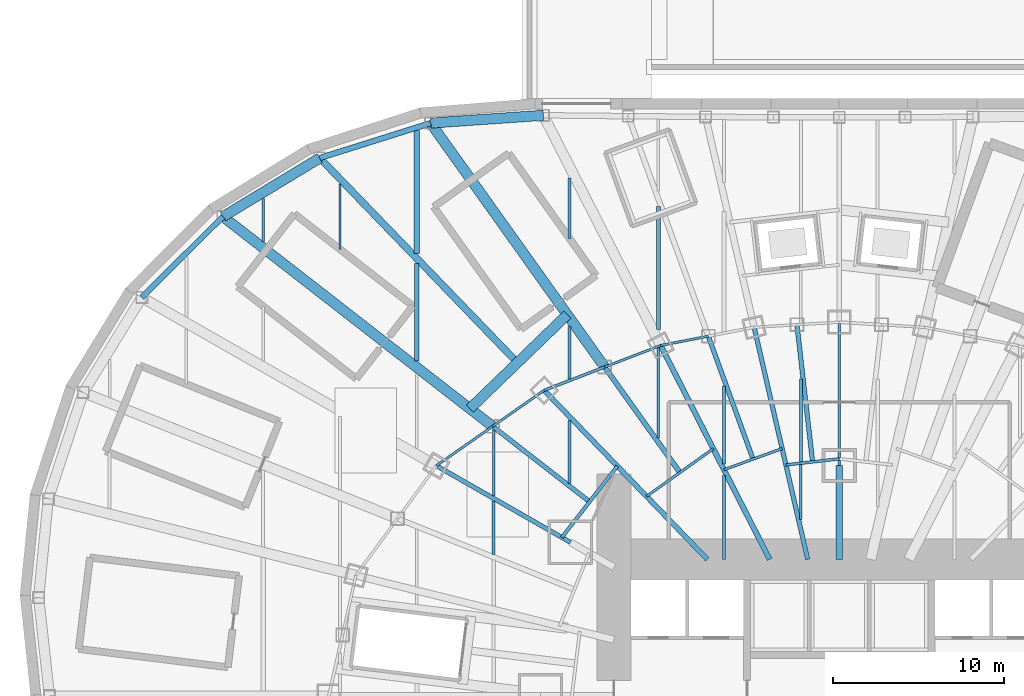
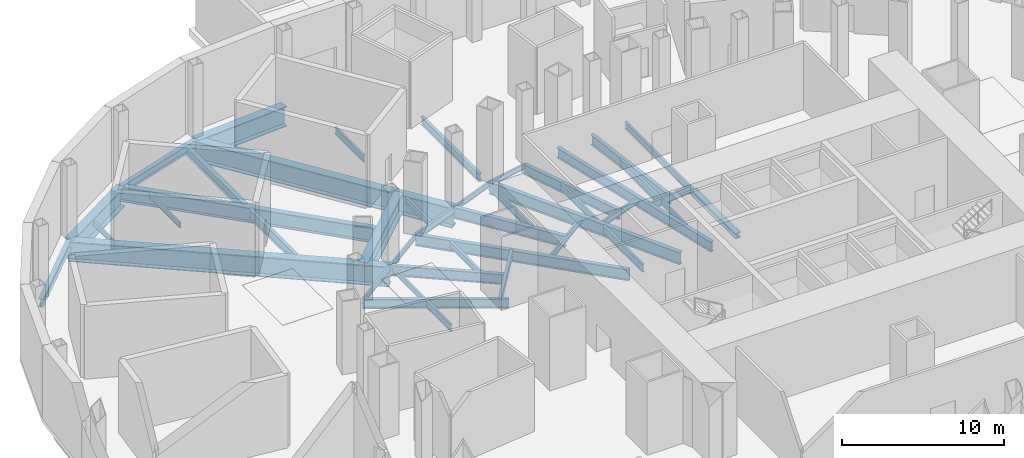
# One storey, part 5 of 19: 42 beams.
"""IFC4 building model written with IfcOpenShell, lengths in metres."""

from ifc_helpers import new_model, si_unit, direction, frame, origin, origin_2d, place, context, subcontext, project, spatial, i_section, extrude, material, material_profile, profile_set, type_object, element, save


model = new_model("IFC4")

# Units and contexts
model_context = context("Model", 3, precision=1e-05, world=origin(), true_north=direction((0.0, 1.0)))
body_context = subcontext(model_context, "Body", "Model", "MODEL_VIEW")
ifc_project = project(units=[si_unit("LENGTHUNIT", "METRE"), si_unit("AREAUNIT", "SQUARE_METRE"), si_unit("VOLUMEUNIT", "CUBIC_METRE"), si_unit("PLANEANGLEUNIT", "RADIAN"), si_unit("MASSUNIT", "GRAM", prefix="KILO")], contexts=[model_context])

# Site, building, storey
site_placement = place(None, origin())
site = spatial("IfcSite", under=ifc_project, at=site_placement, CompositionType="ELEMENT")
building_placement = place(site_placement, origin())
building = spatial("IfcBuilding", under=site, at=building_placement, Name="Lantaw Convention Tower", CompositionType="ELEMENT")
storey_placement = place(building_placement, frame((0.0, 0.0, -5.5)))
storey = spatial("IfcBuildingStorey", under=building, at=storey_placement, Name="B1", CompositionType="ELEMENT", Elevation=-5.5)

# Beams
ifc_material_1 = material(Name="Steel ASTM A572 Grade 50", Category="steel")
ifc_material_profile_1 = material_profile(ifc_material_1, i_section(OverallWidth=0.60009765625, OverallDepth=1.5, WebThickness=0.02490234375, FlangeThickness=0.06005859375, at=origin_2d()), Name="PG1500X600X25X60")
ifc_profile_set_1 = profile_set([ifc_material_profile_1], Name="Steel ASTM A572 Grade 50")
beam_type_1 = type_object("IfcBeamType", Name="Beam E PG1500X600X25X60", PredefinedType="SPANDREL", material=ifc_profile_set_1)
beam_1_placement = place(storey_placement, frame((-17.333984375, 34.019775390625, -1.050048828125), z_axis=(-0.997615470709, -0.069017190627, 0.0), x_axis=(0.069017190627, -0.997615470709, 0.0)))
element("IfcBeam", 1, at=beam_1_placement, inside=storey, type_object=beam_type_1, Name="Podium edge beam R08", PredefinedType="SPANDREL", context=body_context, shape_type="SweptSolid", body=[
    extrude(i_section(OverallWidth=0.60009765625, OverallDepth=1.5, WebThickness=0.02490234375, FlangeThickness=0.06005859375, at=origin_2d()), origin(), (0.0, 0.0, 1.0), 6.6220703125),
])
beam_2_placement = place(storey_placement, frame((-30.43603515625, 31.517578125, -1.050048828125), z_axis=(-0.855269526547, -0.518183400893, 0.0), x_axis=(0.518183400893, -0.855269526547, 0.0)))
element("IfcBeam", 2, at=beam_2_placement, inside=storey, type_object=beam_type_1, Name="Podium edge beam R09", PredefinedType="SPANDREL", context=body_context, shape_type="SweptSolid", body=[
    extrude(i_section(OverallWidth=0.60009765625, OverallDepth=1.5, WebThickness=0.02490234375, FlangeThickness=0.06005859375, at=origin_2d()), origin(), (0.0, 0.0, 1.0), 6.63134765625),
])
ifc_material_2 = material(Name="Steel ASTM A992", Category="steel")
ifc_material_profile_2 = material_profile(ifc_material_2, i_section(OverallWidth=0.140380859375, OverallDepth=0.40380859375, WebThickness=0.007080078125, FlangeThickness=0.01123046875, FilletRadius=0.01025390625, at=origin_2d()), Name="W16X31")
ifc_profile_set_2 = profile_set([ifc_material_profile_2], Name="Steel ASTM A992")
beam_type_2 = type_object("IfcBeamType", Name="Beam E W16X31", PredefinedType="SPANDREL", material=ifc_profile_set_2)
beam_3_placement = place(storey_placement, frame((-7.671142578125, 21.076416015625, -0.501953125), z_axis=(-0.98163593748, -0.190763954266, 0.0), x_axis=(0.190763954266, -0.98163593748, 0.0)))
element("IfcBeam", 3, at=beam_3_placement, inside=storey, type_object=beam_type_2, Name="Edge beam 8", PredefinedType="SPANDREL", context=body_context, shape_type="SweptSolid", body=[
    extrude(i_section(OverallWidth=0.140380859375, OverallDepth=0.40380859375, WebThickness=0.007080078125, FlangeThickness=0.01123046875, FilletRadius=0.01025390625, at=origin_2d()), origin(), (0.0, 0.0, 1.0), 2.84375),
])
beam_4_placement = place(storey_placement, frame((-10.462646484375, 20.533935546875, -0.501953125), z_axis=(-0.933241815012, -0.359248820058, 0.0), x_axis=(0.359248820058, -0.933241815012, 0.0)))
element("IfcBeam", 4, at=beam_4_placement, inside=storey, type_object=beam_type_2, Name="Edge beam 9", PredefinedType="SPANDREL", context=body_context, shape_type="SweptSolid", body=[
    extrude(i_section(OverallWidth=0.140380859375, OverallDepth=0.40380859375, WebThickness=0.007080078125, FlangeThickness=0.01123046875, FilletRadius=0.01025390625, at=origin_2d()), origin(), (0.0, 0.0, 1.0), 3.517578125),
])
beam_5_placement = place(storey_placement, frame((-17.290771484375, 17.9052734375, -0.501953125), z_axis=(-0.819409395821, -0.573208724672, 0.0), x_axis=(0.573208724672, -0.819409395821, 0.0)))
element("IfcBeam", 5, at=beam_5_placement, inside=storey, type_object=beam_type_2, Name="Edge beam 10", PredefinedType="SPANDREL", context=body_context, shape_type="SweptSolid", body=[
    extrude(i_section(OverallWidth=0.140380859375, OverallDepth=0.40380859375, WebThickness=0.007080078125, FlangeThickness=0.01123046875, FilletRadius=0.01025390625, at=origin_2d()), origin(), (0.0, 0.0, 1.0), 3.682861328125),
])
beam_6_placement = place(storey_placement, frame((-20.30859375, 15.794189453125, -0.501953125), z_axis=(-0.819442856133, -0.573160889744, 0.0), x_axis=(0.573160889744, -0.819442856133, 0.0)))
element("IfcBeam", 6, at=beam_6_placement, inside=storey, type_object=beam_type_2, Name="Edge beam 10", PredefinedType="SPANDREL", context=body_context, shape_type="SweptSolid", body=[
    extrude(i_section(OverallWidth=0.140380859375, OverallDepth=0.40380859375, WebThickness=0.007080078125, FlangeThickness=0.01123046875, FilletRadius=0.01025390625, at=origin_2d()), origin(), (0.0, 0.0, 1.0), 4.022705078125),
])
ifc_material_profile_3 = material_profile(ifc_material_2, i_section(OverallWidth=0.1650390625, OverallDepth=0.52587890625, WebThickness=0.0087890625, FlangeThickness=0.011474609375, FilletRadius=0.0126953125, at=origin_2d()), Name="W21X44")
ifc_profile_set_3 = profile_set([ifc_material_profile_3], Name="Steel ASTM A992")
beam_type_3 = type_object("IfcBeamType", Name="Beam E W21X44", PredefinedType="SPANDREL", material=ifc_profile_set_3)
beam_7_placement = place(storey_placement, frame((-13.745361328125, 19.270263671875, -0.56298828125), z_axis=(-0.933224646415, -0.359293416754, 0.0), x_axis=(0.359293416754, -0.933224646415, 0.0)))
element("IfcBeam", 7, at=beam_7_placement, inside=storey, type_object=beam_type_3, Name="Edge beam 9", PredefinedType="SPANDREL", context=body_context, shape_type="SweptSolid", body=[
    extrude(i_section(OverallWidth=0.1650390625, OverallDepth=0.52587890625, WebThickness=0.0087890625, FlangeThickness=0.011474609375, FilletRadius=0.0126953125, at=origin_2d()), origin(), (0.0, 0.0, 1.0), 3.799072265625),
])
ifc_material_profile_4 = material_profile(ifc_material_2, i_section(OverallWidth=0.3251953125, OverallDepth=0.612060546875, WebThickness=0.0126953125, FlangeThickness=0.01904296875, FilletRadius=0.0126953125, at=origin_2d()), Name="W24X104")
ifc_profile_set_4 = profile_set([ifc_material_profile_4], Name="Steel ASTM A992")
beam_type_4 = type_object("IfcBeamType", Name="Beam E W24X104", PredefinedType="SPANDREL", material=ifc_profile_set_4)
beam_8_placement = place(storey_placement, frame((-23.940185546875, 33.562744140625, -0.60595703125), z_axis=(-0.953841834513, -0.300309431643, 0.0), x_axis=(0.300309431643, -0.953841834513, 0.0)))
element("IfcBeam", 8, at=beam_8_placement, inside=storey, type_object=beam_type_4, Name="Podium edge beam B08", PredefinedType="SPANDREL", context=body_context, shape_type="SweptSolid", body=[
    extrude(i_section(OverallWidth=0.3251953125, OverallDepth=0.612060546875, WebThickness=0.0126953125, FlangeThickness=0.01904296875, FilletRadius=0.0126953125, at=origin_2d()), origin(), (0.0, 0.0, 1.0), 6.810302734375),
])
beam_9_placement = place(storey_placement, frame((-36.107666015625, 28.081298828125, -0.60595703125), z_axis=(-0.709033046271, -0.705175254314, 0.0), x_axis=(0.705175254314, -0.709033046271, 0.0)))
element("IfcBeam", 9, at=beam_9_placement, inside=storey, type_object=beam_type_4, Name="Podium edge beam B09", PredefinedType="SPANDREL", context=body_context, shape_type="SweptSolid", body=[
    extrude(i_section(OverallWidth=0.3251953125, OverallDepth=0.612060546875, WebThickness=0.0126953125, FlangeThickness=0.01904296875, FilletRadius=0.0126953125, at=origin_2d()), origin(), (0.0, 0.0, 1.0), 6.708251953125),
])
ifc_material_profile_5 = material_profile(ifc_material_2, i_section(OverallWidth=0.1650390625, OverallDepth=0.52587890625, WebThickness=0.0087890625, FlangeThickness=0.011474609375, FilletRadius=0.0126953125, at=origin_2d()), Name="W21X44")
ifc_profile_set_5 = profile_set([ifc_material_profile_5], Name="Steel ASTM A992")
beam_type_5 = type_object("IfcBeamType", Name="Beam G W21X44", PredefinedType="BEAM", material=ifc_profile_set_5)
beam_10_placement = place(storey_placement, frame((0.0, 13.5, -0.56298828125), z_axis=(0.0, 1.0, 0.0), x_axis=(-1.0, 0.0, 0.0)))
element("IfcBeam", 10, at=beam_10_placement, inside=storey, type_object=beam_type_5, Name="Floor girder on ray 7", PredefinedType="BEAM", context=body_context, shape_type="SweptSolid", body=[
    extrude(i_section(OverallWidth=0.1650390625, OverallDepth=0.52587890625, WebThickness=0.0087890625, FlangeThickness=0.011474609375, FilletRadius=0.0126953125, at=origin_2d()), origin(), (0.0, 0.0, 1.0), 8.39990234375),
])
ifc_material_profile_6 = material_profile(ifc_material_2, i_section(OverallWidth=0.25390625, OverallDepth=0.700927734375, WebThickness=0.015380859375, FlangeThickness=0.02783203125, FilletRadius=0.01513671875, at=origin_2d()), Name="W27X129")
ifc_profile_set_6 = profile_set([ifc_material_profile_6], Name="Steel ASTM A992")
beam_type_6 = type_object("IfcBeamType", Name="Beam G W27X129", PredefinedType="BEAM", material=ifc_profile_set_6)
beam_11_placement = place(storey_placement, frame((-15.75, 9.0, -0.650634765625), z_axis=(-0.868244802791, 0.496136032179, 0.0), x_axis=(-0.496136032179, -0.868244802791, 0.0)))
element("IfcBeam", 11, at=beam_11_placement, inside=storey, type_object=beam_type_6, Name="Floor girder on ray 11", PredefinedType="BEAM", context=body_context, shape_type="SweptSolid", body=[
    extrude(i_section(OverallWidth=0.25390625, OverallDepth=0.700927734375, WebThickness=0.015380859375, FlangeThickness=0.02783203125, FilletRadius=0.01513671875, at=origin_2d()), origin(), (0.0, 0.0, 1.0), 9.046875),
])
ifc_material_profile_7 = material_profile(ifc_material_2, i_section(OverallWidth=0.2666015625, OverallDepth=0.7568359375, WebThickness=0.013916015625, FlangeThickness=0.019287109375, FilletRadius=0.0126953125, at=origin_2d()), Name="W30X108")
ifc_profile_set_7 = profile_set([ifc_material_profile_7], Name="Steel ASTM A992")
beam_type_7 = type_object("IfcBeamType", Name="Beam G W30X108", PredefinedType="BEAM", material=ifc_profile_set_7)
beam_12_placement = place(storey_placement, frame((-1.5625, 13.713134765625, -0.678466796875), z_axis=(-0.113183957156, 0.993574049501, 0.0), x_axis=(-0.993574049501, -0.113183957156, 0.0)))
element("IfcBeam", 12, at=beam_12_placement, inside=storey, type_object=beam_type_7, Name="Floor girder on bisector 7", PredefinedType="BEAM", context=body_context, shape_type="SweptSolid", body=[
    extrude(i_section(OverallWidth=0.2666015625, OverallDepth=0.7568359375, WebThickness=0.013916015625, FlangeThickness=0.019287109375, FilletRadius=0.0126953125, at=origin_2d()), origin(), (0.0, 0.0, 1.0), 8.0888671875),
])
ifc_material_profile_8 = material_profile(ifc_material_2, i_section(OverallWidth=0.2666015625, OverallDepth=0.76953125, WebThickness=0.015625, FlangeThickness=0.025390625, FilletRadius=0.0126953125, at=origin_2d()), Name="W30X132")
ifc_profile_set_8 = profile_set([ifc_material_profile_8], Name="Steel ASTM A992")
beam_type_8 = type_object("IfcBeamType", Name="Beam G W30X132", PredefinedType="BEAM", material=ifc_profile_set_8)
beam_13_placement = place(storey_placement, frame((-1.846923828125, 8.0, -0.684814453125), z_axis=(-0.224952773175, 0.97436966796, 0.0), x_axis=(-0.97436966796, -0.224952773175, 0.0)))
element("IfcBeam", 13, at=beam_13_placement, inside=storey, type_object=beam_type_8, Name="Floor girder on ray 8", PredefinedType="BEAM", context=body_context, shape_type="SweptSolid", body=[
    extrude(i_section(OverallWidth=0.2666015625, OverallDepth=0.76953125, WebThickness=0.015625, FlangeThickness=0.025390625, FilletRadius=0.0126953125, at=origin_2d()), origin(), (0.0, 0.0, 1.0), 13.955810546875),
])
beam_14_placement = place(storey_placement, frame((-5.04931640625, 13.873046875, -0.684814453125), z_axis=(-0.342021781151, 0.939692024664, 0.0), x_axis=(-0.939692024664, -0.342021781151, 0.0)))
element("IfcBeam", 14, at=beam_14_placement, inside=storey, type_object=beam_type_8, Name="Floor girder on bisector 8", PredefinedType="BEAM", context=body_context, shape_type="SweptSolid", body=[
    extrude(i_section(OverallWidth=0.2666015625, OverallDepth=0.76953125, WebThickness=0.015625, FlangeThickness=0.025390625, FilletRadius=0.0126953125, at=origin_2d()), origin(), (0.0, 0.0, 1.0), 7.665771484375),
])
beam_15_placement = place(storey_placement, frame((-14.628173828125, 11.37646484375, -0.684814453125), z_axis=(-0.789377792374, 0.613907729961, 0.0), x_axis=(-0.613907729961, -0.789377792374, 0.0)))
element("IfcBeam", 15, at=beam_15_placement, inside=storey, type_object=beam_type_8, Name="Floor girder on bisector 10", PredefinedType="BEAM", context=body_context, shape_type="SweptSolid", body=[
    extrude(i_section(OverallWidth=0.2666015625, OverallDepth=0.76953125, WebThickness=0.015625, FlangeThickness=0.025390625, FilletRadius=0.0126953125, at=origin_2d()), origin(), (0.0, 0.0, 1.0), 7.196044921875),
])
ifc_material_profile_9 = material_profile(ifc_material_2, i_section(OverallWidth=0.2919921875, OverallDepth=0.845703125, WebThickness=0.015380859375, FlangeThickness=0.0244140625, FilletRadius=0.01513671875, at=origin_2d()), Name="W33X141")
ifc_profile_set_9 = profile_set([ifc_material_profile_9], Name="Steel ASTM A992")
beam_type_9 = type_object("IfcBeamType", Name="Beam G W33X141", PredefinedType="BEAM", material=ifc_profile_set_9)
beam_16_placement = place(storey_placement, frame((-9.335693359375, 13.088134765625, -0.722900390625), z_axis=(-0.580702805158, 0.814115625745, 0.0), x_axis=(-0.814115625745, -0.580702805158, 0.0)))
element("IfcBeam", 16, at=beam_16_placement, inside=storey, type_object=beam_type_9, Name="Floor girder on bisector 9", PredefinedType="BEAM", context=body_context, shape_type="SweptSolid", body=[
    extrude(i_section(OverallWidth=0.2919921875, OverallDepth=0.845703125, WebThickness=0.015380859375, FlangeThickness=0.0244140625, FilletRadius=0.01513671875, at=origin_2d()), origin(), (0.0, 0.0, 1.0), 7.59375),
])
beam_17_placement = place(storey_placement, frame((-7.7255859375, 8.0, -0.722900390625), z_axis=(-0.694649884291, 0.719347995239, 0.0), x_axis=(-0.719347995239, -0.694649884291, 0.0)))
element("IfcBeam", 17, at=beam_17_placement, inside=storey, type_object=beam_type_9, Name="Floor girder on ray 10", PredefinedType="BEAM", context=body_context, shape_type="SweptSolid", body=[
    extrude(i_section(OverallWidth=0.2919921875, OverallDepth=0.845703125, WebThickness=0.015380859375, FlangeThickness=0.0244140625, FilletRadius=0.01513671875, at=origin_2d()), origin(), (0.0, 0.0, 1.0), 13.769775390625),
])
ifc_material_profile_10 = material_profile(ifc_material_2, i_section(OverallWidth=0.307373046875, OverallDepth=0.922119140625, WebThickness=0.018310546875, FlangeThickness=0.030029296875, FilletRadius=0.0126953125, at=origin_2d()), Name="W36X182")
ifc_profile_set_10 = profile_set([ifc_material_profile_10], Name="Steel ASTM A992")
beam_type_10 = type_object("IfcBeamType", Name="Beam G W36X182", PredefinedType="BEAM", material=ifc_profile_set_10)
beam_18_placement = place(storey_placement, frame((-4.076171875, 8.0, -0.760986328125), z_axis=(-0.453997016122, 0.891003203896, 0.0), x_axis=(-0.891003203896, -0.453997016122, 0.0)))
element("IfcBeam", 18, at=beam_18_placement, inside=storey, type_object=beam_type_10, Name="Floor girder on ray 9", PredefinedType="BEAM", context=body_context, shape_type="SweptSolid", body=[
    extrude(i_section(OverallWidth=0.307373046875, OverallDepth=0.922119140625, WebThickness=0.018310546875, FlangeThickness=0.030029296875, FilletRadius=0.0126953125, at=origin_2d()), origin(), (0.0, 0.0, 1.0), 14.067138671875),
])
ifc_material_profile_11 = material_profile(ifc_material_2, i_section(OverallWidth=0.40380859375, OverallDepth=0.406494140625, WebThickness=0.027099609375, FlangeThickness=0.043701171875, FilletRadius=0.01513671875, at=origin_2d()), Name="W14X233")
ifc_profile_set_11 = profile_set([ifc_material_profile_11], Name="Steel ASTM A992")
beam_type_11 = type_object("IfcBeamType", Name="Beam GM W14X233", PredefinedType="BEAM", material=ifc_profile_set_11)
beam_19_placement = place(storey_placement, frame((0.0, 8.0, -0.503173828125), z_axis=(0.0, 1.0, 0.0), x_axis=(-1.0, 0.0, 0.0)))
element("IfcBeam", 19, at=beam_19_placement, inside=storey, type_object=beam_type_11, Name="Core link beam on ray 7", PredefinedType="BEAM", context=body_context, shape_type="SweptSolid", body=[
    extrude(i_section(OverallWidth=0.40380859375, OverallDepth=0.406494140625, WebThickness=0.027099609375, FlangeThickness=0.043701171875, FilletRadius=0.01513671875, at=origin_2d()), origin(), (0.0, 0.0, 1.0), 5.5),
])
ifc_material_profile_12 = material_profile(ifc_material_2, i_section(OverallWidth=0.15234375, OverallDepth=0.449462890625, WebThickness=0.007568359375, FlangeThickness=0.0107421875, FilletRadius=0.01025390625, at=origin_2d()), Name="W18X35")
ifc_profile_set_12 = profile_set([ifc_material_profile_12], Name="Steel ASTM A992")
beam_type_12 = type_object("IfcBeamType", Name="Beam HC W18X35", PredefinedType="BEAM", material=ifc_profile_set_12)
beam_20_placement = place(storey_placement, frame((-3.345947265625, 14.4931640625, -0.52490234375), z_axis=(-0.939689171859, -0.342029619025, 0.0), x_axis=(0.342029619025, -0.939689171859, 0.0)))
element("IfcBeam", 20, at=beam_20_placement, inside=storey, type_object=beam_type_12, Name="Collar beam on bisector 8", PredefinedType="BEAM", context=body_context, shape_type="SweptSolid", body=[
    extrude(i_section(OverallWidth=0.15234375, OverallDepth=0.449462890625, WebThickness=0.007568359375, FlangeThickness=0.0107421875, FilletRadius=0.01025390625, at=origin_2d()), origin(), (0.0, 0.0, 1.0), 3.62548828125),
])
beam_21_placement = place(storey_placement, frame((-7.379638671875, 14.4833984375, -0.52490234375), z_axis=(-0.814110909588, -0.580709416912, 0.0), x_axis=(0.580709416912, -0.814110909588, 0.0)))
element("IfcBeam", 21, at=beam_21_placement, inside=storey, type_object=beam_type_12, Name="Collar beam on bisector 9", PredefinedType="BEAM", context=body_context, shape_type="SweptSolid", body=[
    extrude(i_section(OverallWidth=0.15234375, OverallDepth=0.449462890625, WebThickness=0.007568359375, FlangeThickness=0.0107421875, FilletRadius=0.01025390625, at=origin_2d()), origin(), (0.0, 0.0, 1.0), 4.805419921875),
])
ifc_material_profile_13 = material_profile(ifc_material_2, i_section(OverallWidth=0.165771484375, OverallDepth=0.5283203125, WebThickness=0.009765625, FlangeThickness=0.013671875, FilletRadius=0.012939453125, at=origin_2d()), Name="W21X50")
ifc_profile_set_13 = profile_set([ifc_material_profile_13], Name="Steel ASTM A992")
beam_type_13 = type_object("IfcBeamType", Name="Beam HC W21X50", PredefinedType="BEAM", material=ifc_profile_set_13)
beam_22_placement = place(storey_placement, frame((0.0, 13.89111328125, -0.564208984375), z_axis=(-0.99356540907, -0.113259780595, 0.0), x_axis=(0.113259780595, -0.99356540907, 0.0)))
element("IfcBeam", 22, at=beam_22_placement, inside=storey, type_object=beam_type_13, Name="Collar beam on bisector 7", PredefinedType="BEAM", context=body_context, shape_type="SweptSolid", body=[
    extrude(i_section(OverallWidth=0.165771484375, OverallDepth=0.5283203125, WebThickness=0.009765625, FlangeThickness=0.013671875, FilletRadius=0.012939453125, at=origin_2d()), origin(), (0.0, 0.0, 1.0), 3.14501953125),
])
ifc_material_profile_14 = material_profile(ifc_material_2, i_section(OverallWidth=0.2099609375, OverallDepth=0.535888671875, WebThickness=0.010986328125, FlangeThickness=0.017333984375, FilletRadius=0.012939453125, at=origin_2d()), Name="W21X68")
ifc_profile_set_14 = profile_set([ifc_material_profile_14], Name="Steel ASTM A992")
beam_type_14 = type_object("IfcBeamType", Name="Beam HC W21X68", PredefinedType="BEAM", material=ifc_profile_set_14)
beam_23_placement = place(storey_placement, frame((-13.00341796875, 13.465576171875, -0.56787109375), z_axis=(-0.613915067401, -0.789372085913, 0.0), x_axis=(0.789372085913, -0.613915067401, 0.0)))
element("IfcBeam", 23, at=beam_23_placement, inside=storey, type_object=beam_type_14, Name="Collar beam on bisector 10", PredefinedType="BEAM", context=body_context, shape_type="SweptSolid", body=[
    extrude(i_section(OverallWidth=0.2099609375, OverallDepth=0.535888671875, WebThickness=0.010986328125, FlangeThickness=0.017333984375, FilletRadius=0.012939453125, at=origin_2d()), origin(), (0.0, 0.0, 1.0), 5.293212890625),
])
ifc_material_profile_15 = material_profile(ifc_material_2, i_section(OverallWidth=0.140380859375, OverallDepth=0.40380859375, WebThickness=0.007080078125, FlangeThickness=0.01123046875, FilletRadius=0.01025390625, at=origin_2d()), Name="W16X31")
ifc_profile_set_15 = profile_set([ifc_material_profile_15], Name="Steel ASTM A992")
beam_type_15 = type_object("IfcBeamType", Name="Beam J W16X31", PredefinedType="JOIST", material=ifc_profile_set_15)
beam_24_placement = place(storey_placement, frame((-33.75, 26.627685546875, -0.501953125), z_axis=(0.0, 1.0, 0.0), x_axis=(-1.0, 0.0, 0.0)))
element("IfcBeam", 24, at=beam_24_placement, inside=storey, type_object=beam_type_15, Name="Floor joist", PredefinedType="JOIST", context=body_context, shape_type="SweptSolid", body=[
    extrude(i_section(OverallWidth=0.140380859375, OverallDepth=0.40380859375, WebThickness=0.007080078125, FlangeThickness=0.01123046875, FilletRadius=0.01025390625, at=origin_2d()), origin(), (0.0, 0.0, 1.0), 2.53125),
])
beam_25_placement = place(storey_placement, frame((-29.25, 26.16845703125, -0.501953125), z_axis=(0.0, 1.0, 0.0), x_axis=(-1.0, 0.0, 0.0)))
element("IfcBeam", 25, at=beam_25_placement, inside=storey, type_object=beam_type_15, Name="Floor joist", PredefinedType="JOIST", context=body_context, shape_type="SweptSolid", body=[
    extrude(i_section(OverallWidth=0.140380859375, OverallDepth=0.40380859375, WebThickness=0.007080078125, FlangeThickness=0.01123046875, FilletRadius=0.01025390625, at=origin_2d()), origin(), (0.0, 0.0, 1.0), 3.830078125),
])
beam_26_placement = place(storey_placement, frame((-20.25, 11.7177734375, -0.501953125), z_axis=(0.0, 1.0, 0.0), x_axis=(-1.0, 0.0, 0.0)))
element("IfcBeam", 26, at=beam_26_placement, inside=storey, type_object=beam_type_15, Name="Floor joist", PredefinedType="JOIST", context=body_context, shape_type="SweptSolid", body=[
    extrude(i_section(OverallWidth=0.140380859375, OverallDepth=0.40380859375, WebThickness=0.007080078125, FlangeThickness=0.01123046875, FilletRadius=0.01025390625, at=origin_2d()), origin(), (0.0, 0.0, 1.0), 3.86181640625),
])
beam_27_placement = place(storey_placement, frame((-2.25, 10.338623046875, -0.501953125), z_axis=(0.0, 1.0, 0.0), x_axis=(-1.0, 0.0, 0.0)))
element("IfcBeam", 27, at=beam_27_placement, inside=storey, type_object=beam_type_15, Name="Floor joist", PredefinedType="JOIST", context=body_context, shape_type="SweptSolid", body=[
    extrude(i_section(OverallWidth=0.140380859375, OverallDepth=0.40380859375, WebThickness=0.007080078125, FlangeThickness=0.01123046875, FilletRadius=0.01025390625, at=origin_2d()), origin(), (0.0, 0.0, 1.0), 3.212646484375),
])
ifc_material_profile_16 = material_profile(ifc_material_2, i_section(OverallWidth=0.1904296875, OverallDepth=0.457275390625, WebThickness=0.009033203125, FlangeThickness=0.014404296875, FilletRadius=0.01025390625, at=origin_2d()), Name="W18X50")
ifc_profile_set_16 = profile_set([ifc_material_profile_16], Name="Steel ASTM A992")
beam_type_16 = type_object("IfcBeamType", Name="Beam J W18X50", PredefinedType="JOIST", material=ifc_profile_set_16)
beam_28_placement = place(storey_placement, frame((-15.800048828125, 12.456787109375, -0.528564453125), z_axis=(0.0, 1.0, 0.0), x_axis=(-1.0, 0.0, 0.0)))
element("IfcBeam", 28, at=beam_28_placement, inside=storey, type_object=beam_type_16, Name="Floor joist", PredefinedType="JOIST", context=body_context, shape_type="SweptSolid", body=[
    extrude(i_section(OverallWidth=0.1904296875, OverallDepth=0.457275390625, WebThickness=0.009033203125, FlangeThickness=0.014404296875, FilletRadius=0.01025390625, at=origin_2d()), origin(), (0.0, 0.0, 1.0), 3.6943359375),
])
beam_29_placement = place(storey_placement, frame((-15.800048828125, 18.567626953125, -0.528564453125), z_axis=(0.0, 1.0, 0.0), x_axis=(-1.0, 0.0, 0.0)))
element("IfcBeam", 29, at=beam_29_placement, inside=storey, type_object=beam_type_16, Name="Floor joist", PredefinedType="JOIST", context=body_context, shape_type="SweptSolid", body=[
    extrude(i_section(OverallWidth=0.1904296875, OverallDepth=0.457275390625, WebThickness=0.009033203125, FlangeThickness=0.014404296875, FilletRadius=0.01025390625, at=origin_2d()), origin(), (0.0, 0.0, 1.0), 3.066650390625),
])
ifc_material_profile_17 = material_profile(ifc_material_2, i_section(OverallWidth=0.1650390625, OverallDepth=0.52587890625, WebThickness=0.0087890625, FlangeThickness=0.011474609375, FilletRadius=0.0126953125, at=origin_2d()), Name="W21X44")
ifc_profile_set_17 = profile_set([ifc_material_profile_17], Name="Steel ASTM A992")
beam_type_17 = type_object("IfcBeamType", Name="Beam J W21X44", PredefinedType="JOIST", material=ifc_profile_set_17)
beam_30_placement = place(storey_placement, frame((-20.25, 8.294677734375, -0.56298828125), z_axis=(0.0, 1.0, 0.0), x_axis=(-1.0, 0.0, 0.0)))
element("IfcBeam", 30, at=beam_30_placement, inside=storey, type_object=beam_type_17, Name="Floor joist", PredefinedType="JOIST", context=body_context, shape_type="SweptSolid", body=[
    extrude(i_section(OverallWidth=0.1650390625, OverallDepth=0.52587890625, WebThickness=0.0087890625, FlangeThickness=0.011474609375, FilletRadius=0.0126953125, at=origin_2d()), origin(), (0.0, 0.0, 1.0), 3.13037109375),
])
beam_31_placement = place(storey_placement, frame((-15.800048828125, 26.80029296875, -0.56298828125), z_axis=(0.0, 1.0, 0.0), x_axis=(-1.0, 0.0, 0.0)))
element("IfcBeam", 31, at=beam_31_placement, inside=storey, type_object=beam_type_17, Name="Floor joist", PredefinedType="JOIST", context=body_context, shape_type="SweptSolid", body=[
    extrude(i_section(OverallWidth=0.1650390625, OverallDepth=0.52587890625, WebThickness=0.0087890625, FlangeThickness=0.011474609375, FilletRadius=0.0126953125, at=origin_2d()), origin(), (0.0, 0.0, 1.0), 3.548095703125),
])
beam_32_placement = place(storey_placement, frame((-6.75, 13.592529296875, -0.56298828125), z_axis=(0.0, 1.0, 0.0), x_axis=(-1.0, 0.0, 0.0)))
element("IfcBeam", 32, at=beam_32_placement, inside=storey, type_object=beam_type_17, Name="Floor joist", PredefinedType="JOIST", context=body_context, shape_type="SweptSolid", body=[
    extrude(i_section(OverallWidth=0.1650390625, OverallDepth=0.52587890625, WebThickness=0.0087890625, FlangeThickness=0.011474609375, FilletRadius=0.0126953125, at=origin_2d()), origin(), (0.0, 0.0, 1.0), 4.56298828125),
])
ifc_material_profile_18 = material_profile(ifc_material_2, i_section(OverallWidth=0.165771484375, OverallDepth=0.5283203125, WebThickness=0.009765625, FlangeThickness=0.013671875, FilletRadius=0.012939453125, at=origin_2d()), Name="W21X50")
ifc_profile_set_18 = profile_set([ifc_material_profile_18], Name="Steel ASTM A992")
beam_type_18 = type_object("IfcBeamType", Name="Beam J W21X50", PredefinedType="JOIST", material=ifc_profile_set_18)
beam_33_placement = place(storey_placement, frame((-10.60009765625, 15.112060546875, -0.564208984375), z_axis=(0.0, 1.0, 0.0), x_axis=(-1.0, 0.0, 0.0)))
element("IfcBeam", 33, at=beam_33_placement, inside=storey, type_object=beam_type_18, Name="Floor joist", PredefinedType="JOIST", context=body_context, shape_type="SweptSolid", body=[
    extrude(i_section(OverallWidth=0.165771484375, OverallDepth=0.5283203125, WebThickness=0.009765625, FlangeThickness=0.013671875, FilletRadius=0.012939453125, at=origin_2d()), origin(), (0.0, 0.0, 1.0), 5.293701171875),
])
ifc_material_profile_19 = material_profile(ifc_material_2, i_section(OverallWidth=0.3251953125, OverallDepth=0.612060546875, WebThickness=0.0126953125, FlangeThickness=0.01904296875, FilletRadius=0.0126953125, at=origin_2d()), Name="W24X104")
ifc_profile_set_19 = profile_set([ifc_material_profile_19], Name="Steel ASTM A992")
beam_type_19 = type_object("IfcBeamType", Name="Beam J W24X104", PredefinedType="JOIST", material=ifc_profile_set_19)
beam_34_placement = place(storey_placement, frame((-24.75, 25.920166015625, -0.60595703125), z_axis=(0.0, 1.0, 0.0), x_axis=(-1.0, 0.0, 0.0)))
element("IfcBeam", 34, at=beam_34_placement, inside=storey, type_object=beam_type_19, Name="Floor joist", PredefinedType="JOIST", context=body_context, shape_type="SweptSolid", body=[
    extrude(i_section(OverallWidth=0.3251953125, OverallDepth=0.612060546875, WebThickness=0.0126953125, FlangeThickness=0.01904296875, FilletRadius=0.0126953125, at=origin_2d()), origin(), (0.0, 0.0, 1.0), 7.21728515625),
])
ifc_material_profile_20 = material_profile(ifc_material_2, i_section(OverallWidth=0.177978515625, OverallDepth=0.599365234375, WebThickness=0.010009765625, FlangeThickness=0.012939453125, FilletRadius=0.012939453125, at=origin_2d()), Name="W24X55")
ifc_profile_set_20 = profile_set([ifc_material_profile_20], Name="Steel ASTM A992")
beam_type_20 = type_object("IfcBeamType", Name="Beam J W24X55", PredefinedType="JOIST", material=ifc_profile_set_20)
beam_35_placement = place(storey_placement, frame((-6.75, 8.0, -0.599609375), z_axis=(0.0, 1.0, 0.0), x_axis=(-1.0, 0.0, 0.0)))
element("IfcBeam", 35, at=beam_35_placement, inside=storey, type_object=beam_type_20, Name="Floor joist", PredefinedType="JOIST", context=body_context, shape_type="SweptSolid", body=[
    extrude(i_section(OverallWidth=0.177978515625, OverallDepth=0.599365234375, WebThickness=0.010009765625, FlangeThickness=0.012939453125, FilletRadius=0.012939453125, at=origin_2d()), origin(), (0.0, 0.0, 1.0), 4.9091796875),
])
beam_36_placement = place(storey_placement, frame((-2.25, 13.71826171875, -0.599609375), z_axis=(0.0, 1.0, 0.0), x_axis=(-1.0, 0.0, 0.0)))
element("IfcBeam", 36, at=beam_36_placement, inside=storey, type_object=beam_type_20, Name="Floor joist", PredefinedType="JOIST", context=body_context, shape_type="SweptSolid", body=[
    extrude(i_section(OverallWidth=0.177978515625, OverallDepth=0.599365234375, WebThickness=0.010009765625, FlangeThickness=0.012939453125, FilletRadius=0.012939453125, at=origin_2d()), origin(), (0.0, 0.0, 1.0), 4.851806640625),
])
ifc_material_profile_21 = material_profile(ifc_material_2, i_section(OverallWidth=0.22900390625, OverallDepth=0.612060546875, WebThickness=0.011962890625, FlangeThickness=0.01953125, FilletRadius=0.0126953125, at=origin_2d()), Name="W24X84")
ifc_profile_set_21 = profile_set([ifc_material_profile_21], Name="Steel ASTM A992")
beam_type_21 = type_object("IfcBeamType", Name="Beam J W24X84", PredefinedType="JOIST", material=ifc_profile_set_21)
beam_37_placement = place(storey_placement, frame((-10.60009765625, 21.464599609375, -0.60595703125), z_axis=(0.0, 1.0, 0.0), x_axis=(-1.0, 0.0, 0.0)))
element("IfcBeam", 37, at=beam_37_placement, inside=storey, type_object=beam_type_21, Name="Floor joist", PredefinedType="JOIST", context=body_context, shape_type="SweptSolid", body=[
    extrude(i_section(OverallWidth=0.22900390625, OverallDepth=0.612060546875, WebThickness=0.011962890625, FlangeThickness=0.01953125, FilletRadius=0.0126953125, at=origin_2d()), origin(), (0.0, 0.0, 1.0), 7.20947265625),
])
ifc_material_profile_22 = material_profile(ifc_material_2, i_section(OverallWidth=0.25390625, OverallDepth=0.683349609375, WebThickness=0.012451171875, FlangeThickness=0.01904296875, FilletRadius=0.01513671875, at=origin_2d()), Name="W27X94")
ifc_profile_set_22 = profile_set([ifc_material_profile_22], Name="Steel ASTM A992")
beam_type_22 = type_object("IfcBeamType", Name="Beam J W27X94", PredefinedType="JOIST", material=ifc_profile_set_22)
beam_38_placement = place(storey_placement, frame((-24.75, 19.62841796875, -0.6416015625), z_axis=(0.0, 1.0, 0.0), x_axis=(-1.0, 0.0, 0.0)))
element("IfcBeam", 38, at=beam_38_placement, inside=storey, type_object=beam_type_22, Name="Floor joist", PredefinedType="JOIST", context=body_context, shape_type="SweptSolid", body=[
    extrude(i_section(OverallWidth=0.25390625, OverallDepth=0.683349609375, WebThickness=0.012451171875, FlangeThickness=0.01904296875, FilletRadius=0.01513671875, at=origin_2d()), origin(), (0.0, 0.0, 1.0), 5.710205078125),
])
ifc_material_profile_23 = material_profile(ifc_material_1, i_section(OverallWidth=0.60009765625, OverallDepth=1.5, WebThickness=0.02490234375, FlangeThickness=0.06005859375, at=origin_2d()), Name="PG1500X600X25X60")
ifc_profile_set_23 = profile_set([ifc_material_profile_23], Name="Steel ASTM A572 Grade 50")
beam_type_23 = type_object("IfcBeamType", Name="Beam PG PG1500X600X25X60", PredefinedType="BEAM", material=ifc_profile_set_23)
beam_39_placement = place(storey_placement, frame((-13.745361328125, 19.270263671875, -1.050048828125), z_axis=(-0.580706616871, 0.814112906864, 0.0), x_axis=(-0.814112906864, -0.580706616871, 0.0)))
element("IfcBeam", 39, at=beam_39_placement, inside=storey, type_object=beam_type_23, Name="Podium girder PB09", PredefinedType="BEAM", context=body_context, shape_type="SweptSolid", body=[
    extrude(i_section(OverallWidth=0.60009765625, OverallDepth=1.5, WebThickness=0.02490234375, FlangeThickness=0.06005859375, at=origin_2d()), origin(), (0.0, 0.0, 1.0), 17.555908203125),
])
beam_40_placement = place(storey_placement, frame((-20.30859375, 15.794189453125, -1.050048828125), z_axis=(-0.78937783277, 0.613907678019, 0.0), x_axis=(-0.613907678019, -0.78937783277, 0.0)))
element("IfcBeam", 40, at=beam_40_placement, inside=storey, type_object=beam_type_23, Name="Podium girder PB10", PredefinedType="BEAM", context=body_context, shape_type="SweptSolid", body=[
    extrude(i_section(OverallWidth=0.60009765625, OverallDepth=1.5, WebThickness=0.02490234375, FlangeThickness=0.06005859375, at=origin_2d()), origin(), (0.0, 0.0, 1.0), 20.0146484375),
])
ifc_material_profile_24 = material_profile(ifc_material_2, i_section(OverallWidth=0.40380859375, OverallDepth=1.11767578125, WebThickness=0.026123046875, FlangeThickness=0.044921875, FilletRadius=0.02001953125, at=origin_2d()), Name="W44X335")
ifc_profile_set_24 = profile_set([ifc_material_profile_24], Name="Steel ASTM A992")
beam_type_24 = type_object("IfcBeamType", Name="Beam PG W44X335", PredefinedType="BEAM", material=ifc_profile_set_24)
beam_41_placement = place(storey_placement, frame((-18.853759765625, 19.523681640625, -0.85888671875), z_axis=(-0.694655397028, 0.719342671736, 0.0), x_axis=(-0.719342671736, -0.694655397028, 0.0)))
element("IfcBeam", 41, at=beam_41_placement, inside=storey, type_object=beam_type_24, Name="Podium girder PR10", PredefinedType="BEAM", context=body_context, shape_type="SweptSolid", body=[
    extrude(i_section(OverallWidth=0.40380859375, OverallDepth=1.11767578125, WebThickness=0.026123046875, FlangeThickness=0.044921875, FilletRadius=0.02001953125, at=origin_2d()), origin(), (0.0, 0.0, 1.0), 16.67333984375),
])
ifc_material_profile_25 = material_profile(ifc_material_1, i_section(OverallWidth=0.60009765625, OverallDepth=1.5, WebThickness=0.02490234375, FlangeThickness=0.06005859375, at=origin_2d()), Name="PG1500X600X25X60")
ifc_profile_set_25 = profile_set([ifc_material_profile_25], Name="Steel ASTM A572 Grade 50")
beam_type_25 = type_object("IfcBeamType", Name="Beam TP PG1500X600X25X60", PredefinedType="BEAM", material=ifc_profile_set_25)
beam_42_placement = place(storey_placement, frame((-15.93603515625, 22.34130859375, -1.050048828125), z_axis=(-0.719341000633, -0.694657127515, 0.0), x_axis=(0.694657127515, -0.719341000633, 0.0)))
element("IfcBeam", 42, at=beam_42_placement, inside=storey, type_object=beam_type_25, Name="Trimmer beam on ray 10", PredefinedType="BEAM", context=body_context, shape_type="SweptSolid", body=[
    extrude(i_section(OverallWidth=0.60009765625, OverallDepth=1.5, WebThickness=0.02490234375, FlangeThickness=0.06005859375, at=origin_2d()), origin(), (0.0, 0.0, 1.0), 7.932373046875),
])

save(model, "model.ifc")
